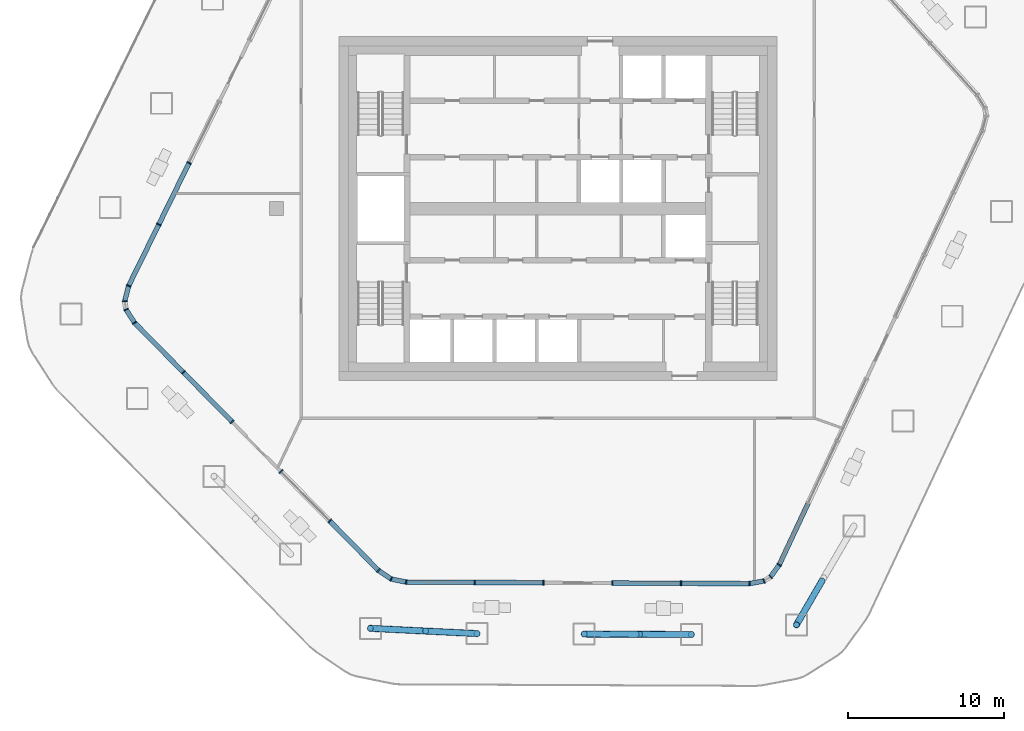
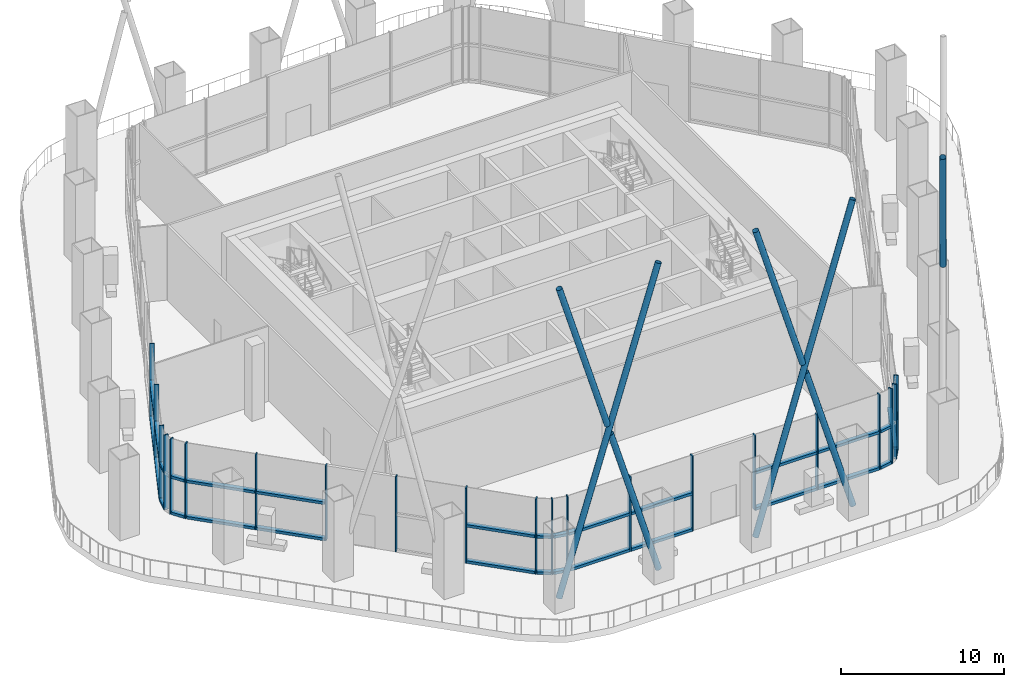
# One storey, part 2 of 20: 59 members, 9 elements without a shape of their own.
"""IFC4 building model written with IfcOpenShell, lengths in metres."""

from ifc_helpers import new_model, si_unit, direction, frame, origin, origin_2d, place, context, subcontext, project, spatial, rectangle, hollow_circle, extrude, material, layer, layer_set, material_profile, profile_set, type_object, element, aggregate, save


model = new_model("IFC4")

# Units and contexts
model_context = context("Model", 3, precision=1e-05, world=origin(), true_north=direction((0.0, 1.0)))
body_context = subcontext(model_context, "Body", "Model", "MODEL_VIEW")
ifc_project = project(units=[si_unit("LENGTHUNIT", "METRE"), si_unit("AREAUNIT", "SQUARE_METRE"), si_unit("VOLUMEUNIT", "CUBIC_METRE"), si_unit("PLANEANGLEUNIT", "RADIAN"), si_unit("MASSUNIT", "GRAM", prefix="KILO")], contexts=[model_context])

# Site, building, storey
site_placement = place(None, origin())
site = spatial("IfcSite", under=ifc_project, at=site_placement, CompositionType="ELEMENT")
building_placement = place(site_placement, origin())
building = spatial("IfcBuilding", under=site, at=building_placement, Name="Dongbaek Canopy Tower", CompositionType="ELEMENT")
storey_placement = place(building_placement, frame((0.0, 0.0, 353.0)))
storey = spatial("IfcBuildingStorey", under=building, at=storey_placement, Name="L76", CompositionType="ELEMENT", Elevation=353.0)

# Members
ifc_material_1 = material(Name="Steel S355", Category="steel")
ifc_material_profile_1 = material_profile(ifc_material_1, hollow_circle(Radius=0.203125, WallThickness=0.0126953125, at=origin_2d()), Name="COLONNADE BRACE CHS 406.4x12.7 Steel S355")
ifc_profile_set_1 = profile_set([ifc_material_profile_1], Name="Steel S355")
member_type_1 = type_object("IfcMemberType", Name="COLONNADE BRACE CHS 406.4x12.7 Steel S355", PredefinedType="BRACE", material=ifc_profile_set_1)
member_1_placement = place(storey_placement, frame((-11.985107421875, -26.8310546875, 0.60009765625), z_axis=(0.285642375256, -0.014071959771, 0.958232964058), x_axis=(0.049204585579, 0.99878872078, 0.0)))
element("IfcMember", 1, at=member_1_placement, inside=storey, type_object=member_type_1, Name="XBRACE:04:0", PredefinedType="BRACE", context=body_context, shape_type="SweptSolid", body=[
    extrude(hollow_circle(Radius=0.203125, WallThickness=0.0126953125, at=origin_2d()), origin(), (0.0, 0.0, 1.0), 23.872802734375),
])
member_2_placement = place(storey_placement, frame((-5.166015625, -27.1669921875, 0.60009765625), z_axis=(-0.283254343419, 0.013962946105, 0.9589431751), x_axis=(-0.049234945595, -0.998787224654, 0.0)))
element("IfcMember", 2, at=member_2_placement, inside=storey, type_object=member_type_1, Name="XBRACE:04:1", PredefinedType="BRACE", context=body_context, shape_type="SweptSolid", body=[
    extrude(hollow_circle(Radius=0.203125, WallThickness=0.0126953125, at=origin_2d()), origin(), (0.0, 0.0, 1.0), 11.60986328125),
])
member_3_placement = place(storey_placement, frame((-11.985107421875, -26.8310546875, 23.685791015625), z_axis=(0.283261936788, -0.013956868484, -0.9589410206), x_axis=(0.049212251058, 0.998788343117, 0.0)))
element("IfcMember", 3, at=member_3_placement, inside=storey, type_object=member_type_1, Name="XBRACE:04:2", PredefinedType="BRACE", context=body_context, shape_type="SweptSolid", body=[
    extrude(hollow_circle(Radius=0.203125, WallThickness=0.0126953125, at=origin_2d()), origin(), (0.0, 0.0, 1.0), 11.719970703125),
])
member_4_placement = place(storey_placement, frame((1.68310546875, -27.197021484375, 0.60009765625), z_axis=(0.287321355116, -0.001259417935, 0.957833415976), x_axis=(0.004383265685, 0.999990393445, 0.0)))
element("IfcMember", 4, at=member_4_placement, inside=storey, type_object=member_type_1, Name="XBRACE:06:0", PredefinedType="BRACE", context=body_context, shape_type="SweptSolid", body=[
    extrude(hollow_circle(Radius=0.203125, WallThickness=0.0126953125, at=origin_2d()), origin(), (0.0, 0.0, 1.0), 23.84375),
])
member_5_placement = place(storey_placement, frame((8.533935546875, -27.22705078125, 0.60009765625), z_axis=(-0.287117009939, 0.001267531499, 0.957894678954), x_axis=(-0.00441464317, -0.999990255415, 0.0)))
element("IfcMember", 5, at=member_5_placement, inside=storey, type_object=member_type_1, Name="XBRACE:06:1", PredefinedType="BRACE", context=body_context, shape_type="SweptSolid", body=[
    extrude(hollow_circle(Radius=0.203125, WallThickness=0.0126953125, at=origin_2d()), origin(), (0.0, 0.0, 1.0), 11.556640625),
])
member_6_placement = place(storey_placement, frame((1.68310546875, -27.197021484375, 23.457275390625), z_axis=(0.287103658942, -0.001245340088, -0.957898709755), x_axis=(0.004337556607, 0.999990592757, 0.0)))
element("IfcMember", 6, at=member_6_placement, inside=storey, type_object=member_type_1, Name="XBRACE:06:2", PredefinedType="BRACE", context=body_context, shape_type="SweptSolid", body=[
    extrude(hollow_circle(Radius=0.203125, WallThickness=0.0126953125, at=origin_2d()), origin(), (0.0, 0.0, 1.0), 11.566650390625),
])
member_7_placement = place(storey_placement, frame((15.251953125, -26.60693359375, 23.825927734375), z_axis=(0.150861921909, 0.259212305227, -0.953965230675), x_axis=(-0.864279501856, 0.503011871303, 0.0)))
element("IfcMember", 7, at=member_7_placement, inside=storey, type_object=member_type_1, Name="XBRACE:08:2", PredefinedType="BRACE", context=body_context, shape_type="SweptSolid", body=[
    extrude(hollow_circle(Radius=0.203125, WallThickness=0.0126953125, at=origin_2d()), origin(), (0.0, 0.0, 1.0), 10.842529296875),
])

# Curtain wall, members
ifc_material_2 = material(Name="Aluminium 6063-T6 pale anodised", Category="aluminium")
ifc_layer = layer(ifc_material_2, 0.300048828125)
ifc_layer_set = layer_set([ifc_layer], Name="CW-5 observation lounge curtain wall")
curtain_wall_type = type_object("IfcCurtainWallType", Name="CW-5 observation lounge curtain wall", PredefinedType="NOTDEFINED", material=ifc_layer_set)
curtain_wall_1_placement = place(storey_placement, origin())
curtain_wall_1 = element("IfcCurtainWall", 8, at=curtain_wall_1_placement, inside=storey, type_object=curtain_wall_type, Name="CW-5 curtain wall F2.2", PredefinedType="NOTDEFINED")
ifc_material_3 = material(Name="Aluminium 6063-T6 pale anodised", Category="aluminium")
ifc_material_profile_2 = material_profile(ifc_material_3, rectangle(XDim=0.300048828125, YDim=0.080078125, at=origin_2d()), Name="CW-5 mullion 80 x 300")
ifc_profile_set_2 = profile_set([ifc_material_profile_2], Name="Aluminium 6063-T6 pale anodised")
member_type_2 = type_object("IfcMemberType", Name="CW-5 mullion 80 x 300", PredefinedType="MULLION", material=ifc_profile_set_2)
member_8_placement = place(storey_placement, frame((-23.576416015625, 2.921142578125, 0.0), z_axis=(0.0, 0.0, 1.0), x_axis=(-0.897339164959, 0.441341617152, 0.0)))
member_8 = element("IfcMember", 9, at=member_8_placement, type_object=member_type_2, Name="CW-5 mullion F2.2.2", PredefinedType="MULLION", context=body_context, shape_type="SweptSolid", body=[
    extrude(rectangle(XDim=0.300048828125, YDim=0.080078125, at=origin_2d()), origin(), (0.0, 0.0, 1.0), 5.60009765625),
])
member_9_placement = place(storey_placement, frame((-25.510498046875, -1.011474609375, 0.0), z_axis=(0.0, 0.0, 1.0), x_axis=(-0.897339164959, 0.441341617152, 0.0)))
member_9 = element("IfcMember", 10, at=member_9_placement, type_object=member_type_2, Name="CW-5 mullion F2.2.3", PredefinedType="MULLION", context=body_context, shape_type="SweptSolid", body=[
    extrude(rectangle(XDim=0.300048828125, YDim=0.080078125, at=origin_2d()), origin(), (0.0, 0.0, 1.0), 5.60009765625),
])
member_10_placement = place(storey_placement, frame((-27.4404296875, -4.93505859375, 0.0), z_axis=(0.0, 0.0, 1.0), x_axis=(-0.897339164959, 0.441341617152, 0.0)))
member_10 = element("IfcMember", 11, at=member_10_placement, type_object=member_type_2, Name="CW-5 mullion F2.2.4", PredefinedType="MULLION", context=body_context, shape_type="SweptSolid", body=[
    extrude(rectangle(XDim=0.300048828125, YDim=0.080078125, at=origin_2d()), origin(), (0.0, 0.0, 1.0), 5.60009765625),
])

curtain_wall_2_placement = place(storey_placement, origin())
curtain_wall_2 = element("IfcCurtainWall", 12, at=curtain_wall_2_placement, inside=storey, type_object=curtain_wall_type, Name="CW-5 curtain wall K2.1", PredefinedType="NOTDEFINED")
member_11_placement = place(storey_placement, frame((-27.693115234375, -5.920166015625, 0.0), z_axis=(0.0, 0.0, 1.0), x_axis=(-0.99896684272, 0.045444990323, 0.0)))
member_11 = element("IfcMember", 13, at=member_11_placement, type_object=member_type_2, Name="CW-5 mullion K2.1.2", PredefinedType="MULLION", context=body_context, shape_type="SweptSolid", body=[
    extrude(rectangle(XDim=0.300048828125, YDim=0.080078125, at=origin_2d()), origin(), (0.0, 0.0, 1.0), 5.60009765625),
])
member_12_placement = place(storey_placement, frame((-27.6083984375, -6.445068359375, 0.0), z_axis=(0.0, 0.0, 1.0), x_axis=(-0.933704598708, -0.358044302218, 0.0)))
member_12 = element("IfcMember", 14, at=member_12_placement, type_object=member_type_2, Name="CW-5 mullion K2.1.3", PredefinedType="MULLION", context=body_context, shape_type="SweptSolid", body=[
    extrude(rectangle(XDim=0.300048828125, YDim=0.080078125, at=origin_2d()), origin(), (0.0, 0.0, 1.0), 5.60009765625),
])
member_13_placement = place(storey_placement, frame((-27.057861328125, -7.300048828125, 0.0), z_axis=(0.0, 0.0, 1.0), x_axis=(-0.840825579899, -0.541306146453, 0.0)))
member_13 = element("IfcMember", 15, at=member_13_placement, type_object=member_type_2, Name="CW-5 mullion K2.1.4", PredefinedType="MULLION", context=body_context, shape_type="SweptSolid", body=[
    extrude(rectangle(XDim=0.300048828125, YDim=0.080078125, at=origin_2d()), origin(), (0.0, 0.0, 1.0), 5.60009765625),
])

curtain_wall_3_placement = place(storey_placement, origin())
curtain_wall_3 = element("IfcCurtainWall", 16, at=curtain_wall_3_placement, inside=storey, type_object=curtain_wall_type, Name="CW-5 curtain wall F3.1", PredefinedType="NOTDEFINED")
member_14_placement = place(storey_placement, frame((-23.94384765625, -10.4619140625, 0.0), z_axis=(0.0, 0.0, 1.0), x_axis=(-0.712454548879, -0.701718259547, 0.0)))
member_14 = element("IfcMember", 17, at=member_14_placement, type_object=member_type_2, Name="CW-5 mullion F3.1.2", PredefinedType="MULLION", context=body_context, shape_type="SweptSolid", body=[
    extrude(rectangle(XDim=0.300048828125, YDim=0.080078125, at=origin_2d()), origin(), (0.0, 0.0, 1.0), 5.60009765625),
])
member_15_placement = place(storey_placement, frame((-20.822509765625, -13.630859375, 0.0), z_axis=(0.0, 0.0, 1.0), x_axis=(-0.712454548879, -0.701718259547, 0.0)))
member_15 = element("IfcMember", 18, at=member_15_placement, type_object=member_type_2, Name="CW-5 mullion F3.1.3", PredefinedType="MULLION", context=body_context, shape_type="SweptSolid", body=[
    extrude(rectangle(XDim=0.300048828125, YDim=0.080078125, at=origin_2d()), origin(), (0.0, 0.0, 1.0), 5.60009765625),
])

curtain_wall_4_placement = place(storey_placement, origin())
curtain_wall_4 = element("IfcCurtainWall", 19, at=curtain_wall_4_placement, inside=storey, type_object=curtain_wall_type, Name="CW-5 curtain wall F3.2", PredefinedType="NOTDEFINED")
member_16_placement = place(storey_placement, frame((-17.701171875, -16.800048828125, 0.0), z_axis=(0.0, 0.0, 1.0), x_axis=(-0.712454548879, -0.701718259547, 0.0)))
member_16 = element("IfcMember", 20, at=member_16_placement, type_object=member_type_2, Name="CW-5 mullion F3.2.1", PredefinedType="MULLION", context=body_context, shape_type="SweptSolid", body=[
    extrude(rectangle(XDim=0.300048828125, YDim=0.080078125, at=origin_2d()), origin(), (0.0, 0.0, 1.0), 5.60009765625),
])
member_17_placement = place(storey_placement, frame((-14.579833984375, -19.968994140625, 0.0), z_axis=(0.0, 0.0, 1.0), x_axis=(-0.712454548879, -0.701718259547, 0.0)))
member_17 = element("IfcMember", 21, at=member_17_placement, type_object=member_type_2, Name="CW-5 mullion F3.2.2", PredefinedType="MULLION", context=body_context, shape_type="SweptSolid", body=[
    extrude(rectangle(XDim=0.300048828125, YDim=0.080078125, at=origin_2d()), origin(), (0.0, 0.0, 1.0), 5.60009765625),
])
member_18_placement = place(storey_placement, frame((-11.465576171875, -23.131103515625, 0.0), z_axis=(0.0, 0.0, 1.0), x_axis=(-0.712454548879, -0.701718259547, 0.0)))
member_18 = element("IfcMember", 22, at=member_18_placement, type_object=member_type_2, Name="CW-5 mullion F3.2.3", PredefinedType="MULLION", context=body_context, shape_type="SweptSolid", body=[
    extrude(rectangle(XDim=0.300048828125, YDim=0.080078125, at=origin_2d()), origin(), (0.0, 0.0, 1.0), 5.60009765625),
])

curtain_wall_5_placement = place(storey_placement, origin())
curtain_wall_5 = element("IfcCurtainWall", 23, at=curtain_wall_5_placement, inside=storey, type_object=curtain_wall_type, Name="CW-5 curtain wall K3.1", PredefinedType="NOTDEFINED")
member_19_placement = place(storey_placement, frame((-10.6572265625, -23.67919921875, 0.0), z_axis=(0.0, 0.0, 1.0), x_axis=(-0.388246579196, -0.921555529386, 0.0)))
member_19 = element("IfcMember", 24, at=member_19_placement, type_object=member_type_2, Name="CW-5 mullion K3.1.2", PredefinedType="MULLION", context=body_context, shape_type="SweptSolid", body=[
    extrude(rectangle(XDim=0.300048828125, YDim=0.080078125, at=origin_2d()), origin(), (0.0, 0.0, 1.0), 5.60009765625),
])
member_20_placement = place(storey_placement, frame((-9.7001953125, -23.874755859375, 0.0), z_axis=(0.0, 0.0, 1.0), x_axis=(-0.200235181233, -0.979747861542, 0.0)))
member_20 = element("IfcMember", 25, at=member_20_placement, type_object=member_type_2, Name="CW-5 mullion K3.1.3", PredefinedType="MULLION", context=body_context, shape_type="SweptSolid", body=[
    extrude(rectangle(XDim=0.300048828125, YDim=0.080078125, at=origin_2d()), origin(), (0.0, 0.0, 1.0), 5.60009765625),
])

curtain_wall_6_placement = place(storey_placement, origin())
curtain_wall_6 = element("IfcCurtainWall", 26, at=curtain_wall_6_placement, inside=storey, type_object=curtain_wall_type, Name="CW-5 curtain wall F4.1", PredefinedType="NOTDEFINED")
member_21_placement = place(storey_placement, frame((-5.31494140625, -23.894287109375, 0.0), z_axis=(0.0, 0.0, 1.0), x_axis=(-0.0044661113, -0.999990026875, 0.0)))
member_21 = element("IfcMember", 27, at=member_21_placement, type_object=member_type_2, Name="CW-5 mullion F4.1.2", PredefinedType="MULLION", context=body_context, shape_type="SweptSolid", body=[
    extrude(rectangle(XDim=0.300048828125, YDim=0.080078125, at=origin_2d()), origin(), (0.0, 0.0, 1.0), 5.60009765625),
])
member_22_placement = place(storey_placement, frame((-0.919677734375, -23.9140625, 0.0), z_axis=(0.0, 0.0, 1.0), x_axis=(-0.0044661113, -0.999990026875, 0.0)))
member_22 = element("IfcMember", 28, at=member_22_placement, type_object=member_type_2, Name="CW-5 mullion F4.1.3", PredefinedType="MULLION", context=body_context, shape_type="SweptSolid", body=[
    extrude(rectangle(XDim=0.300048828125, YDim=0.080078125, at=origin_2d()), origin(), (0.0, 0.0, 1.0), 5.60009765625),
])

curtain_wall_7_placement = place(storey_placement, origin())
curtain_wall_7 = element("IfcCurtainWall", 29, at=curtain_wall_7_placement, inside=storey, type_object=curtain_wall_type, Name="CW-5 curtain wall F4.2", PredefinedType="NOTDEFINED")
member_23_placement = place(storey_placement, frame((3.4755859375, -23.93359375, 0.0), z_axis=(0.0, 0.0, 1.0), x_axis=(-0.0044661113, -0.999990026875, 0.0)))
member_23 = element("IfcMember", 30, at=member_23_placement, type_object=member_type_2, Name="CW-5 mullion F4.2.1", PredefinedType="MULLION", context=body_context, shape_type="SweptSolid", body=[
    extrude(rectangle(XDim=0.300048828125, YDim=0.080078125, at=origin_2d()), origin(), (0.0, 0.0, 1.0), 5.60009765625),
])
member_24_placement = place(storey_placement, frame((7.870849609375, -23.953125, 0.0), z_axis=(0.0, 0.0, 1.0), x_axis=(-0.0044661113, -0.999990026875, 0.0)))
member_24 = element("IfcMember", 31, at=member_24_placement, type_object=member_type_2, Name="CW-5 mullion F4.2.2", PredefinedType="MULLION", context=body_context, shape_type="SweptSolid", body=[
    extrude(rectangle(XDim=0.300048828125, YDim=0.080078125, at=origin_2d()), origin(), (0.0, 0.0, 1.0), 5.60009765625),
])
member_25_placement = place(storey_placement, frame((12.256591796875, -23.972900390625, 0.0), z_axis=(0.0, 0.0, 1.0), x_axis=(-0.0044661113, -0.999990026875, 0.0)))
member_25 = element("IfcMember", 32, at=member_25_placement, type_object=member_type_2, Name="CW-5 mullion F4.2.3", PredefinedType="MULLION", context=body_context, shape_type="SweptSolid", body=[
    extrude(rectangle(XDim=0.300048828125, YDim=0.080078125, at=origin_2d()), origin(), (0.0, 0.0, 1.0), 5.60009765625),
])

curtain_wall_8_placement = place(storey_placement, origin())
curtain_wall_8 = element("IfcCurtainWall", 33, at=curtain_wall_8_placement, inside=storey, type_object=curtain_wall_type, Name="CW-5 curtain wall K4.1", PredefinedType="NOTDEFINED")
member_26_placement = place(storey_placement, frame((13.181640625, -23.799560546875, 0.0), z_axis=(0.0, 0.0, 1.0), x_axis=(0.365922133937, -0.930645470571, 0.0)))
member_26 = element("IfcMember", 34, at=member_26_placement, type_object=member_type_2, Name="CW-5 mullion K4.1.2", PredefinedType="MULLION", context=body_context, shape_type="SweptSolid", body=[
    extrude(rectangle(XDim=0.300048828125, YDim=0.080078125, at=origin_2d()), origin(), (0.0, 0.0, 1.0), 5.60009765625),
])
member_27_placement = place(storey_placement, frame((13.600830078125, -23.534423828125, 0.0), z_axis=(0.0, 0.0, 1.0), x_axis=(0.684351200972, -0.729152544895, 0.0)))
member_27 = element("IfcMember", 35, at=member_27_placement, type_object=member_type_2, Name="CW-5 mullion K4.1.3", PredefinedType="MULLION", context=body_context, shape_type="SweptSolid", body=[
    extrude(rectangle(XDim=0.300048828125, YDim=0.080078125, at=origin_2d()), origin(), (0.0, 0.0, 1.0), 5.60009765625),
])
member_28_placement = place(storey_placement, frame((14.1533203125, -22.7724609375, 0.0), z_axis=(0.0, 0.0, 1.0), x_axis=(0.809475714972, -0.587153358903, 0.0)))
member_28 = element("IfcMember", 36, at=member_28_placement, type_object=member_type_2, Name="CW-5 mullion K4.1.4", PredefinedType="MULLION", context=body_context, shape_type="SweptSolid", body=[
    extrude(rectangle(XDim=0.300048828125, YDim=0.080078125, at=origin_2d()), origin(), (0.0, 0.0, 1.0), 5.60009765625),
])

# Member
ifc_material_4 = material(Name="Aluminium 6063-T6 pale anodised", Category="aluminium")
ifc_material_profile_3 = material_profile(ifc_material_4, rectangle(XDim=0.300048828125, YDim=0.199951171875, at=origin_2d()), Name="CW-5 transom 200 x 300")
ifc_profile_set_3 = profile_set([ifc_material_profile_3], Name="Aluminium 6063-T6 pale anodised")
member_type_3 = type_object("IfcMemberType", Name="CW-5 transom 200 x 300", PredefinedType="USERDEFINED", material=ifc_profile_set_3)
member_29_placement = place(storey_placement, frame((-23.599365234375, 2.87451171875, 0.10009765625), z_axis=(-0.44131513597, -0.897352188811, 0.0), x_axis=(0.897352188811, -0.44131513597, 0.0)))
member_29 = element("IfcMember", 37, at=member_29_placement, type_object=member_type_3, Name="CW-5 transom F2.2.2.1", ObjectType="TRANSOM", PredefinedType="USERDEFINED", context=body_context, shape_type="SweptSolid", body=[
    extrude(rectangle(XDim=0.300048828125, YDim=0.199951171875, at=origin_2d()), origin(), (0.0, 0.0, 1.0), 4.278564453125),
])

member_30_placement = place(storey_placement, frame((-23.599365234375, 2.87451171875, 2.800048828125), z_axis=(-0.44131513597, -0.897352188811, 0.0), x_axis=(0.897352188811, -0.44131513597, 0.0)))
member_30 = element("IfcMember", 38, at=member_30_placement, type_object=member_type_3, Name="CW-5 transom F2.2.2.2", ObjectType="TRANSOM", PredefinedType="USERDEFINED", context=body_context, shape_type="SweptSolid", body=[
    extrude(rectangle(XDim=0.300048828125, YDim=0.199951171875, at=origin_2d()), origin(), (0.0, 0.0, 1.0), 4.278564453125),
])

member_31_placement = place(storey_placement, frame((-25.533447265625, -1.05810546875, 0.10009765625), z_axis=(-0.441370239938, -0.897325086742, 0.0), x_axis=(0.897325086742, -0.441370239938, 0.0)))
member_31 = element("IfcMember", 39, at=member_31_placement, type_object=member_type_3, Name="CW-5 transom F2.2.3.1", ObjectType="TRANSOM", PredefinedType="USERDEFINED", context=body_context, shape_type="SweptSolid", body=[
    extrude(rectangle(XDim=0.300048828125, YDim=0.199951171875, at=origin_2d()), origin(), (0.0, 0.0, 1.0), 4.2685546875),
])

member_32_placement = place(storey_placement, frame((-25.533447265625, -1.05810546875, 2.800048828125), z_axis=(-0.441370239938, -0.897325086742, 0.0), x_axis=(0.897325086742, -0.441370239938, 0.0)))
member_32 = element("IfcMember", 40, at=member_32_placement, type_object=member_type_3, Name="CW-5 transom F2.2.3.2", ObjectType="TRANSOM", PredefinedType="USERDEFINED", context=body_context, shape_type="SweptSolid", body=[
    extrude(rectangle(XDim=0.300048828125, YDim=0.199951171875, at=origin_2d()), origin(), (0.0, 0.0, 1.0), 4.2685546875),
])

aggregate(curtain_wall_1, [member_8, member_9, member_10, member_29, member_30, member_31, member_32])

member_33_placement = place(storey_placement, frame((-27.453369140625, -4.9853515625, 0.10009765625), z_axis=(-0.248381782848, -0.968662216642, 0.0), x_axis=(0.968662216642, -0.248381782848, 0.0)))
member_33 = element("IfcMember", 41, at=member_33_placement, type_object=member_type_3, Name="CW-5 transom K2.1.1.1", ObjectType="TRANSOM", PredefinedType="USERDEFINED", context=body_context, shape_type="SweptSolid", body=[
    extrude(rectangle(XDim=0.300048828125, YDim=0.199951171875, at=origin_2d()), origin(), (0.0, 0.0, 1.0), 0.9130859375),
])

member_34_placement = place(storey_placement, frame((-27.453369140625, -4.9853515625, 2.800048828125), z_axis=(-0.248381782848, -0.968662216642, 0.0), x_axis=(0.968662216642, -0.248381782848, 0.0)))
member_34 = element("IfcMember", 42, at=member_34_placement, type_object=member_type_3, Name="CW-5 transom K2.1.1.2", ObjectType="TRANSOM", PredefinedType="USERDEFINED", context=body_context, shape_type="SweptSolid", body=[
    extrude(rectangle(XDim=0.300048828125, YDim=0.199951171875, at=origin_2d()), origin(), (0.0, 0.0, 1.0), 0.9130859375),
])

member_35_placement = place(storey_placement, frame((-27.580078125, -6.48876953125, 0.10009765625), z_axis=(0.541298152127, -0.840830726427, 0.0), x_axis=(0.840830726427, 0.541298152127, 0.0)))
member_35 = element("IfcMember", 43, at=member_35_placement, type_object=member_type_3, Name="CW-5 transom K2.1.3.1", ObjectType="TRANSOM", PredefinedType="USERDEFINED", context=body_context, shape_type="SweptSolid", body=[
    extrude(rectangle(XDim=0.300048828125, YDim=0.199951171875, at=origin_2d()), origin(), (0.0, 0.0, 1.0), 0.912841796875),
])

member_36_placement = place(storey_placement, frame((-27.580078125, -6.48876953125, 2.800048828125), z_axis=(0.541298152127, -0.840830726427, 0.0), x_axis=(0.840830726427, 0.541298152127, 0.0)))
member_36 = element("IfcMember", 44, at=member_36_placement, type_object=member_type_3, Name="CW-5 transom K2.1.3.2", ObjectType="TRANSOM", PredefinedType="USERDEFINED", context=body_context, shape_type="SweptSolid", body=[
    extrude(rectangle(XDim=0.300048828125, YDim=0.199951171875, at=origin_2d()), origin(), (0.0, 0.0, 1.0), 0.912841796875),
])

aggregate(curtain_wall_2, [member_11, member_12, member_13, member_33, member_34, member_35, member_36])

member_37_placement = place(storey_placement, frame((-27.021240234375, -7.337158203125, 0.10009765625), z_axis=(0.701706340358, -0.712466288256, 0.0), x_axis=(0.712466288256, 0.701706340358, 0.0)))
member_37 = element("IfcMember", 45, at=member_37_placement, type_object=member_type_3, Name="CW-5 transom F3.1.1.1", ObjectType="TRANSOM", PredefinedType="USERDEFINED", context=body_context, shape_type="SweptSolid", body=[
    extrude(rectangle(XDim=0.300048828125, YDim=0.199951171875, at=origin_2d()), origin(), (0.0, 0.0, 1.0), 4.333740234375),
])

member_38_placement = place(storey_placement, frame((-27.021240234375, -7.337158203125, 2.800048828125), z_axis=(0.701706340358, -0.712466288256, 0.0), x_axis=(0.712466288256, 0.701706340358, 0.0)))
member_38 = element("IfcMember", 46, at=member_38_placement, type_object=member_type_3, Name="CW-5 transom F3.1.1.2", ObjectType="TRANSOM", PredefinedType="USERDEFINED", context=body_context, shape_type="SweptSolid", body=[
    extrude(rectangle(XDim=0.300048828125, YDim=0.199951171875, at=origin_2d()), origin(), (0.0, 0.0, 1.0), 4.333740234375),
])

member_39_placement = place(storey_placement, frame((-23.9072265625, -10.498779296875, 0.10009765625), z_axis=(0.701719265399, -0.712453558183, 0.0), x_axis=(0.712453558183, 0.701719265399, 0.0)))
member_39 = element("IfcMember", 47, at=member_39_placement, type_object=member_type_3, Name="CW-5 transom F3.1.2.1", ObjectType="TRANSOM", PredefinedType="USERDEFINED", context=body_context, shape_type="SweptSolid", body=[
    extrude(rectangle(XDim=0.300048828125, YDim=0.199951171875, at=origin_2d()), origin(), (0.0, 0.0, 1.0), 4.343994140625),
])

member_40_placement = place(storey_placement, frame((-23.9072265625, -10.498779296875, 2.800048828125), z_axis=(0.701719265399, -0.712453558183, 0.0), x_axis=(0.712453558183, 0.701719265399, 0.0)))
member_40 = element("IfcMember", 48, at=member_40_placement, type_object=member_type_3, Name="CW-5 transom F3.1.2.2", ObjectType="TRANSOM", PredefinedType="USERDEFINED", context=body_context, shape_type="SweptSolid", body=[
    extrude(rectangle(XDim=0.300048828125, YDim=0.199951171875, at=origin_2d()), origin(), (0.0, 0.0, 1.0), 4.343994140625),
])

aggregate(curtain_wall_3, [member_14, member_15, member_37, member_38, member_39, member_40])

member_41_placement = place(storey_placement, frame((-14.54345703125, -20.006103515625, 0.10009765625), z_axis=(0.701735364195, -0.712437701584, 0.0), x_axis=(0.712437701584, 0.701735364195, 0.0)))
member_41 = element("IfcMember", 49, at=member_41_placement, type_object=member_type_3, Name="CW-5 transom F3.2.2.1", ObjectType="TRANSOM", PredefinedType="USERDEFINED", context=body_context, shape_type="SweptSolid", body=[
    extrude(rectangle(XDim=0.300048828125, YDim=0.199951171875, at=origin_2d()), origin(), (0.0, 0.0, 1.0), 4.334228515625),
])

member_42_placement = place(storey_placement, frame((-14.54345703125, -20.006103515625, 2.800048828125), z_axis=(0.701735364195, -0.712437701584, 0.0), x_axis=(0.712437701584, 0.701735364195, 0.0)))
member_42 = element("IfcMember", 50, at=member_42_placement, type_object=member_type_3, Name="CW-5 transom F3.2.2.2", ObjectType="TRANSOM", PredefinedType="USERDEFINED", context=body_context, shape_type="SweptSolid", body=[
    extrude(rectangle(XDim=0.300048828125, YDim=0.199951171875, at=origin_2d()), origin(), (0.0, 0.0, 1.0), 4.334228515625),
])

aggregate(curtain_wall_4, [member_16, member_17, member_18, member_41, member_42])

member_43_placement = place(storey_placement, frame((-11.42236328125, -23.16015625, 0.10009765625), z_axis=(0.827633599829, -0.561268763102, 0.0), x_axis=(0.561268763102, 0.827633599829, 0.0)))
member_43 = element("IfcMember", 51, at=member_43_placement, type_object=member_type_3, Name="CW-5 transom K3.1.1.1", ObjectType="TRANSOM", PredefinedType="USERDEFINED", context=body_context, shape_type="SweptSolid", body=[
    extrude(rectangle(XDim=0.300048828125, YDim=0.199951171875, at=origin_2d()), origin(), (0.0, 0.0, 1.0), 0.87255859375),
])

member_44_placement = place(storey_placement, frame((-11.42236328125, -23.16015625, 2.800048828125), z_axis=(0.827633599829, -0.561268763102, 0.0), x_axis=(0.561268763102, 0.827633599829, 0.0)))
member_44 = element("IfcMember", 52, at=member_44_placement, type_object=member_type_3, Name="CW-5 transom K3.1.1.2", ObjectType="TRANSOM", PredefinedType="USERDEFINED", context=body_context, shape_type="SweptSolid", body=[
    extrude(rectangle(XDim=0.300048828125, YDim=0.199951171875, at=origin_2d()), origin(), (0.0, 0.0, 1.0), 0.87255859375),
])

member_45_placement = place(storey_placement, frame((-10.606201171875, -23.689697265625, 0.10009765625), z_axis=(0.979787275282, -0.200042233531, 0.0), x_axis=(0.200042233531, 0.979787275282, 0.0)))
member_45 = element("IfcMember", 53, at=member_45_placement, type_object=member_type_3, Name="CW-5 transom K3.1.2.1", ObjectType="TRANSOM", PredefinedType="USERDEFINED", context=body_context, shape_type="SweptSolid", body=[
    extrude(rectangle(XDim=0.300048828125, YDim=0.199951171875, at=origin_2d()), origin(), (0.0, 0.0, 1.0), 0.87255859375),
])

member_46_placement = place(storey_placement, frame((-10.606201171875, -23.689697265625, 2.800048828125), z_axis=(0.979787275282, -0.200042233531, 0.0), x_axis=(0.200042233531, 0.979787275282, 0.0)))
member_46 = element("IfcMember", 54, at=member_46_placement, type_object=member_type_3, Name="CW-5 transom K3.1.2.2", ObjectType="TRANSOM", PredefinedType="USERDEFINED", context=body_context, shape_type="SweptSolid", body=[
    extrude(rectangle(XDim=0.300048828125, YDim=0.199951171875, at=origin_2d()), origin(), (0.0, 0.0, 1.0), 0.87255859375),
])

aggregate(curtain_wall_5, [member_19, member_20, member_43, member_44, member_45, member_46])

member_47_placement = place(storey_placement, frame((-9.648193359375, -23.875, 0.10009765625), z_axis=(0.999990107827, -0.0044479487, 0.0), x_axis=(0.0044479487, 0.999990107827, 0.0)))
member_47 = element("IfcMember", 55, at=member_47_placement, type_object=member_type_3, Name="CW-5 transom F4.1.1.1", ObjectType="TRANSOM", PredefinedType="USERDEFINED", context=body_context, shape_type="SweptSolid", body=[
    extrude(rectangle(XDim=0.300048828125, YDim=0.199951171875, at=origin_2d()), origin(), (0.0, 0.0, 1.0), 4.28125),
])

member_48_placement = place(storey_placement, frame((-9.648193359375, -23.875, 2.800048828125), z_axis=(0.999990107827, -0.0044479487, 0.0), x_axis=(0.0044479487, 0.999990107827, 0.0)))
member_48 = element("IfcMember", 56, at=member_48_placement, type_object=member_type_3, Name="CW-5 transom F4.1.1.2", ObjectType="TRANSOM", PredefinedType="USERDEFINED", context=body_context, shape_type="SweptSolid", body=[
    extrude(rectangle(XDim=0.300048828125, YDim=0.199951171875, at=origin_2d()), origin(), (0.0, 0.0, 1.0), 4.28125),
])

member_49_placement = place(storey_placement, frame((-5.262939453125, -23.89453125, 0.10009765625), z_axis=(0.999989899844, -0.004494464476, 0.0), x_axis=(0.004494464476, 0.999989899844, 0.0)))
member_49 = element("IfcMember", 57, at=member_49_placement, type_object=member_type_3, Name="CW-5 transom F4.1.2.1", ObjectType="TRANSOM", PredefinedType="USERDEFINED", context=body_context, shape_type="SweptSolid", body=[
    extrude(rectangle(XDim=0.300048828125, YDim=0.199951171875, at=origin_2d()), origin(), (0.0, 0.0, 1.0), 4.291259765625),
])

member_50_placement = place(storey_placement, frame((-5.262939453125, -23.89453125, 2.800048828125), z_axis=(0.999989899844, -0.004494464476, 0.0), x_axis=(0.004494464476, 0.999989899844, 0.0)))
member_50 = element("IfcMember", 58, at=member_50_placement, type_object=member_type_3, Name="CW-5 transom F4.1.2.2", ObjectType="TRANSOM", PredefinedType="USERDEFINED", context=body_context, shape_type="SweptSolid", body=[
    extrude(rectangle(XDim=0.300048828125, YDim=0.199951171875, at=origin_2d()), origin(), (0.0, 0.0, 1.0), 4.291259765625),
])

aggregate(curtain_wall_6, [member_21, member_22, member_47, member_48, member_49, member_50])

member_51_placement = place(storey_placement, frame((3.527587890625, -23.933837890625, 0.10009765625), z_axis=(0.999990153922, -0.004437573648, 0.0), x_axis=(0.004437573648, 0.999990153922, 0.0)))
member_51 = element("IfcMember", 59, at=member_51_placement, type_object=member_type_3, Name="CW-5 transom F4.2.1.1", ObjectType="TRANSOM", PredefinedType="USERDEFINED", context=body_context, shape_type="SweptSolid", body=[
    extrude(rectangle(XDim=0.300048828125, YDim=0.199951171875, at=origin_2d()), origin(), (0.0, 0.0, 1.0), 4.291259765625),
])

member_52_placement = place(storey_placement, frame((3.527587890625, -23.933837890625, 2.800048828125), z_axis=(0.999990153922, -0.004437573648, 0.0), x_axis=(0.004437573648, 0.999990153922, 0.0)))
member_52 = element("IfcMember", 60, at=member_52_placement, type_object=member_type_3, Name="CW-5 transom F4.2.1.2", ObjectType="TRANSOM", PredefinedType="USERDEFINED", context=body_context, shape_type="SweptSolid", body=[
    extrude(rectangle(XDim=0.300048828125, YDim=0.199951171875, at=origin_2d()), origin(), (0.0, 0.0, 1.0), 4.291259765625),
])

member_53_placement = place(storey_placement, frame((7.9228515625, -23.953369140625, 0.10009765625), z_axis=(0.999989854874, -0.004504458806, 0.0), x_axis=(0.004504458806, 0.999989854874, 0.0)))
member_53 = element("IfcMember", 61, at=member_53_placement, type_object=member_type_3, Name="CW-5 transom F4.2.2.1", ObjectType="TRANSOM", PredefinedType="USERDEFINED", context=body_context, shape_type="SweptSolid", body=[
    extrude(rectangle(XDim=0.300048828125, YDim=0.199951171875, at=origin_2d()), origin(), (0.0, 0.0, 1.0), 4.28173828125),
])

member_54_placement = place(storey_placement, frame((7.9228515625, -23.953369140625, 2.800048828125), z_axis=(0.999989854874, -0.004504458806, 0.0), x_axis=(0.004504458806, 0.999989854874, 0.0)))
member_54 = element("IfcMember", 62, at=member_54_placement, type_object=member_type_3, Name="CW-5 transom F4.2.2.2", ObjectType="TRANSOM", PredefinedType="USERDEFINED", context=body_context, shape_type="SweptSolid", body=[
    extrude(rectangle(XDim=0.300048828125, YDim=0.199951171875, at=origin_2d()), origin(), (0.0, 0.0, 1.0), 4.28173828125),
])

aggregate(curtain_wall_7, [member_23, member_24, member_25, member_51, member_52, member_53, member_54])

member_55_placement = place(storey_placement, frame((12.3076171875, -23.963134765625, 0.10009765625), z_axis=(0.982928257454, 0.183989240716, 0.0), x_axis=(-0.183989240716, 0.982928257454, 0.0)))
member_55 = element("IfcMember", 63, at=member_55_placement, type_object=member_type_3, Name="CW-5 transom K4.1.1.1", ObjectType="TRANSOM", PredefinedType="USERDEFINED", context=body_context, shape_type="SweptSolid", body=[
    extrude(rectangle(XDim=0.300048828125, YDim=0.199951171875, at=origin_2d()), origin(), (0.0, 0.0, 1.0), 0.83740234375),
])

member_56_placement = place(storey_placement, frame((12.3076171875, -23.963134765625, 2.800048828125), z_axis=(0.982928257454, 0.183989240716, 0.0), x_axis=(-0.183989240716, 0.982928257454, 0.0)))
member_56 = element("IfcMember", 64, at=member_56_placement, type_object=member_type_3, Name="CW-5 transom K4.1.1.2", ObjectType="TRANSOM", PredefinedType="USERDEFINED", context=body_context, shape_type="SweptSolid", body=[
    extrude(rectangle(XDim=0.300048828125, YDim=0.199951171875, at=origin_2d()), origin(), (0.0, 0.0, 1.0), 0.83740234375),
])

member_57_placement = place(storey_placement, frame((13.63134765625, -23.492431640625, 0.10009765625), z_axis=(0.587044029689, 0.809555005671, 0.0), x_axis=(-0.809555005671, 0.587044029689, 0.0)))
member_57 = element("IfcMember", 65, at=member_57_placement, type_object=member_type_3, Name="CW-5 transom K4.1.3.1", ObjectType="TRANSOM", PredefinedType="USERDEFINED", context=body_context, shape_type="SweptSolid", body=[
    extrude(rectangle(XDim=0.300048828125, YDim=0.199951171875, at=origin_2d()), origin(), (0.0, 0.0, 1.0), 0.837158203125),
])

member_58_placement = place(storey_placement, frame((13.63134765625, -23.492431640625, 2.800048828125), z_axis=(0.587044029689, 0.809555005671, 0.0), x_axis=(-0.809555005671, 0.587044029689, 0.0)))
member_58 = element("IfcMember", 66, at=member_58_placement, type_object=member_type_3, Name="CW-5 transom K4.1.3.2", ObjectType="TRANSOM", PredefinedType="USERDEFINED", context=body_context, shape_type="SweptSolid", body=[
    extrude(rectangle(XDim=0.300048828125, YDim=0.199951171875, at=origin_2d()), origin(), (0.0, 0.0, 1.0), 0.837158203125),
])

aggregate(curtain_wall_8, [member_26, member_27, member_28, member_55, member_56, member_57, member_58])

# Curtain wall, member
curtain_wall_9_placement = place(storey_placement, origin())
curtain_wall_9 = element("IfcCurtainWall", 67, at=curtain_wall_9_placement, inside=storey, type_object=curtain_wall_type, Name="CW-5 curtain wall F5.1", PredefinedType="NOTDEFINED")
member_59_placement = place(storey_placement, frame((14.175537109375, -22.725341796875, 0.10009765625), z_axis=(0.424115811944, 0.905607960466, 0.0), x_axis=(-0.905607960466, 0.424115811944, 0.0)))
member_59 = element("IfcMember", 68, at=member_59_placement, type_object=member_type_3, Name="CW-5 transom F5.1.1.1", ObjectType="TRANSOM", PredefinedType="USERDEFINED", context=body_context, shape_type="SweptSolid", body=[
    extrude(rectangle(XDim=0.300048828125, YDim=0.199951171875, at=origin_2d()), origin(), (0.0, 0.0, 1.0), 4.267822265625),
])
aggregate(curtain_wall_9, [member_59])

save(model, "model.ifc")
